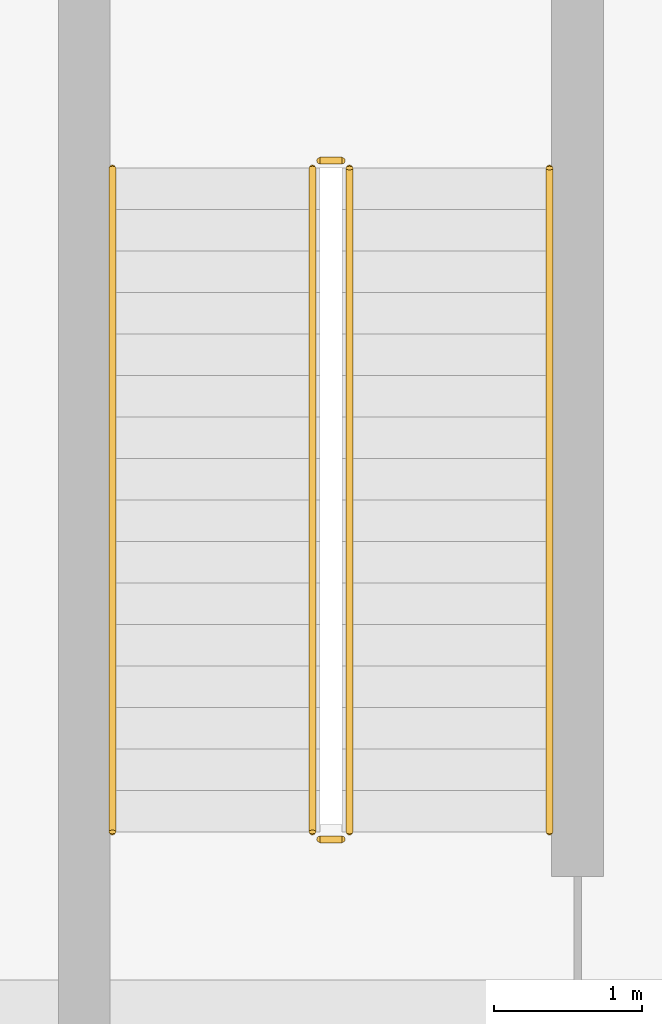
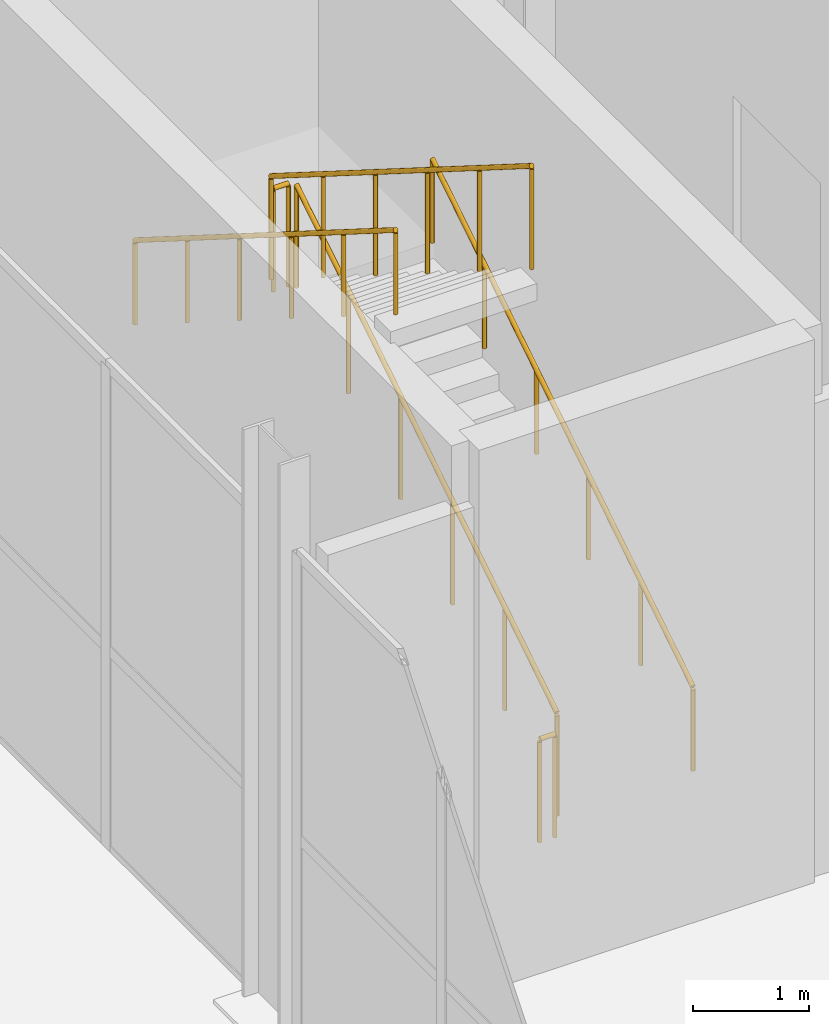
# One storey, part 137 of 144: 6 railings.
"""IFC4 building model written with IfcOpenShell, lengths in metres."""

from ifc_helpers import new_model, si_unit, direction, frame, origin, origin_2d, place, context, subcontext, project, spatial, circle, extrude, material, type_object, element, save


model = new_model("IFC4")

# Units and contexts
model_context = context("Model", 3, precision=1e-05, world=origin(), true_north=direction((0.0, 1.0)))
body_context = subcontext(model_context, "Body", "Model", "MODEL_VIEW")
ifc_project = project(units=[si_unit("LENGTHUNIT", "METRE"), si_unit("AREAUNIT", "SQUARE_METRE"), si_unit("VOLUMEUNIT", "CUBIC_METRE"), si_unit("PLANEANGLEUNIT", "RADIAN"), si_unit("MASSUNIT", "GRAM", prefix="KILO")], contexts=[model_context])

# Site, building, storey
site_placement = place(None, origin())
site = spatial("IfcSite", under=ifc_project, at=site_placement, CompositionType="ELEMENT")
building_placement = place(site_placement, origin())
building = spatial("IfcBuilding", under=site, at=building_placement, Name="Sundgate Opera House", CompositionType="ELEMENT")
storey_placement = place(building_placement, origin())
storey = spatial("IfcBuildingStorey", under=building, at=storey_placement, Name="L00", CompositionType="ELEMENT", Elevation=0.0)

# Railings
ifc_material_1 = material(Name="Painted steel S275 guardrail", Category="steel")
railing_type_1 = type_object("IfcRailingType", Name="RL-STAIR-GUARD-1100", PredefinedType="GUARDRAIL", material=ifc_material_1)
railing_1_placement = place(storey_placement, frame((98.85009765625, 25.89990234375, 0.176513671875)))
element("IfcRailing", 1, at=railing_1_placement, inside=storey, type_object=railing_type_1, Name="ST07L00 Guardrail RL0238", PredefinedType="GUARDRAIL", context=body_context, shape_type="SweptSolid", body=[
    extrude(circle(Radius=0.02392578125, at=origin_2d()), frame((0.0, 0.0, 1.076171875), z_axis=(0.0, 0.845997938375, 0.533186166611), x_axis=(-1.0, 0.0, 0.0)), (0.0, 0.0, 1.0), 5.29541015625),
    extrude(circle(Radius=0.02099609375, at=origin_2d()), origin(), (0.0, 0.0, 1.0), 1.052001953125),
    extrude(circle(Radius=0.02099609375, at=origin_2d()), frame((0.0, 0.89599609375, 0.564697265625)), (0.0, 0.0, 1.0), 1.052001953125),
    extrude(circle(Radius=0.02099609375, at=origin_2d()), frame((0.0, 1.7919921875, 1.12939453125)), (0.0, 0.0, 1.0), 1.052001953125),
    extrude(circle(Radius=0.02099609375, at=origin_2d()), frame((0.0, 2.68798828125, 1.694091796875)), (0.0, 0.0, 1.0), 1.052001953125),
    extrude(circle(Radius=0.02099609375, at=origin_2d()), frame((0.0, 3.583984375, 2.2587890625)), (0.0, 0.0, 1.0), 1.052001953125),
    extrude(circle(Radius=0.02099609375, at=origin_2d()), frame((0.0, 4.47998046875, 2.823486328125)), (0.0, 0.0, 1.0), 1.052001953125),
])
railing_2_placement = place(storey_placement, frame((98.800048828125, 30.429931640625, 3.0)))
element("IfcRailing", 2, at=railing_2_placement, inside=storey, type_object=railing_type_1, Name="ST07L00 Guardrail RL0239", PredefinedType="GUARDRAIL", context=body_context, shape_type="SweptSolid", body=[
    extrude(circle(Radius=0.02392578125, at=origin_2d()), frame((0.0, 0.0, 1.076171875), z_axis=(-1.0, 0.0, 0.0), x_axis=(0.0, -1.0, 0.0)), (0.0, 0.0, 1.0), 0.150146484375),
    extrude(circle(Radius=0.02099609375, at=origin_2d()), origin(), (0.0, 0.0, 1.0), 1.052001953125),
    extrude(circle(Radius=0.02099609375, at=origin_2d()), frame((-0.150146484375, 0.0, 0.0)), (0.0, 0.0, 1.0), 1.052001953125),
])
railing_3_placement = place(storey_placement, frame((98.60009765625, 30.3798828125, 3.176513671875)))
element("IfcRailing", 3, at=railing_3_placement, inside=storey, type_object=railing_type_1, Name="ST07L00 Guardrail RL0240", PredefinedType="GUARDRAIL", context=body_context, shape_type="SweptSolid", body=[
    extrude(circle(Radius=0.02392578125, at=origin_2d()), frame((0.0, 0.0, 1.076171875), z_axis=(0.0, -0.845997938375, 0.533186166611), x_axis=(1.0, 0.0, 0.0)), (0.0, 0.0, 1.0), 5.29541015625),
    extrude(circle(Radius=0.02099609375, at=origin_2d()), origin(), (0.0, 0.0, 1.0), 1.052001953125),
    extrude(circle(Radius=0.02099609375, at=origin_2d()), frame((0.0, -0.89599609375, 0.564697265625)), (0.0, 0.0, 1.0), 1.052001953125),
    extrude(circle(Radius=0.02099609375, at=origin_2d()), frame((0.0, -1.7919921875, 1.12939453125)), (0.0, 0.0, 1.0), 1.052001953125),
    extrude(circle(Radius=0.02099609375, at=origin_2d()), frame((0.0, -2.68798828125, 1.694091796875)), (0.0, 0.0, 1.0), 1.052001953125),
    extrude(circle(Radius=0.02099609375, at=origin_2d()), frame((0.0, -3.583984375, 2.2587890625)), (0.0, 0.0, 1.0), 1.052001953125),
    extrude(circle(Radius=0.02099609375, at=origin_2d()), frame((0.0, -4.47998046875, 2.823486328125)), (0.0, 0.0, 1.0), 1.052001953125),
])
railing_4_placement = place(storey_placement, frame((98.800048828125, 25.85009765625, 0.0)))
element("IfcRailing", 4, at=railing_4_placement, inside=storey, type_object=railing_type_1, Name="ST07L00 Guardrail RL0241", PredefinedType="GUARDRAIL", context=body_context, shape_type="SweptSolid", body=[
    extrude(circle(Radius=0.02392578125, at=origin_2d()), frame((0.0, 0.0, 1.076171875), z_axis=(-1.0, 0.0, 0.0), x_axis=(0.0, -1.0, 0.0)), (0.0, 0.0, 1.0), 0.150146484375),
    extrude(circle(Radius=0.02099609375, at=origin_2d()), origin(), (0.0, 0.0, 1.0), 1.052001953125),
    extrude(circle(Radius=0.02099609375, at=origin_2d()), frame((-0.150146484375, 0.0, 0.0)), (0.0, 0.0, 1.0), 1.052001953125),
])
ifc_material_2 = material(Name="Brushed stainless steel handrail", Category="steel")
railing_type_2 = type_object("IfcRailingType", Name="RL-STAIR-HAND-900", PredefinedType="HANDRAIL", material=ifc_material_2)
railing_5_placement = place(storey_placement, frame((100.199951171875, 25.89990234375, 0.176513671875)))
element("IfcRailing", 5, at=railing_5_placement, inside=storey, type_object=railing_type_2, Name="ST07L00 Handrail RL0242", PredefinedType="HANDRAIL", context=body_context, shape_type="SweptSolid", body=[
    extrude(circle(Radius=0.02392578125, at=origin_2d()), frame((0.0, 0.0, 0.8759765625), z_axis=(0.0, 0.845997938375, 0.533186166611), x_axis=(-1.0, 0.0, 0.0)), (0.0, 0.0, 1.0), 5.29541015625),
    extrude(circle(Radius=0.02099609375, at=origin_2d()), origin(), (0.0, 0.0, 1.0), 0.851806640625),
    extrude(circle(Radius=0.02099609375, at=origin_2d()), frame((0.0, 0.89599609375, 0.564697265625)), (0.0, 0.0, 1.0), 0.851806640625),
    extrude(circle(Radius=0.02099609375, at=origin_2d()), frame((0.0, 1.7919921875, 1.12939453125)), (0.0, 0.0, 1.0), 0.851806640625),
    extrude(circle(Radius=0.02099609375, at=origin_2d()), frame((0.0, 2.68798828125, 1.694091796875)), (0.0, 0.0, 1.0), 0.851806640625),
    extrude(circle(Radius=0.02099609375, at=origin_2d()), frame((0.0, 3.583984375, 2.2587890625)), (0.0, 0.0, 1.0), 0.851806640625),
    extrude(circle(Radius=0.02099609375, at=origin_2d()), frame((0.0, 4.47998046875, 2.823486328125)), (0.0, 0.0, 1.0), 0.851806640625),
])
railing_6_placement = place(storey_placement, frame((97.25, 30.3798828125, 3.176513671875)))
element("IfcRailing", 6, at=railing_6_placement, inside=storey, type_object=railing_type_2, Name="ST07L00 Handrail RL0243", PredefinedType="HANDRAIL", context=body_context, shape_type="SweptSolid", body=[
    extrude(circle(Radius=0.02392578125, at=origin_2d()), frame((0.0, 0.0, 0.8759765625), z_axis=(0.0, -0.845997938375, 0.533186166611), x_axis=(1.0, 0.0, 0.0)), (0.0, 0.0, 1.0), 5.29541015625),
    extrude(circle(Radius=0.02099609375, at=origin_2d()), origin(), (0.0, 0.0, 1.0), 0.851806640625),
    extrude(circle(Radius=0.02099609375, at=origin_2d()), frame((0.0, -0.89599609375, 0.564697265625)), (0.0, 0.0, 1.0), 0.851806640625),
    extrude(circle(Radius=0.02099609375, at=origin_2d()), frame((0.0, -1.7919921875, 1.12939453125)), (0.0, 0.0, 1.0), 0.851806640625),
    extrude(circle(Radius=0.02099609375, at=origin_2d()), frame((0.0, -2.68798828125, 1.694091796875)), (0.0, 0.0, 1.0), 0.851806640625),
    extrude(circle(Radius=0.02099609375, at=origin_2d()), frame((0.0, -3.583984375, 2.2587890625)), (0.0, 0.0, 1.0), 0.851806640625),
    extrude(circle(Radius=0.02099609375, at=origin_2d()), frame((0.0, -4.47998046875, 2.823486328125)), (0.0, 0.0, 1.0), 0.851806640625),
])

save(model, "model.ifc")
